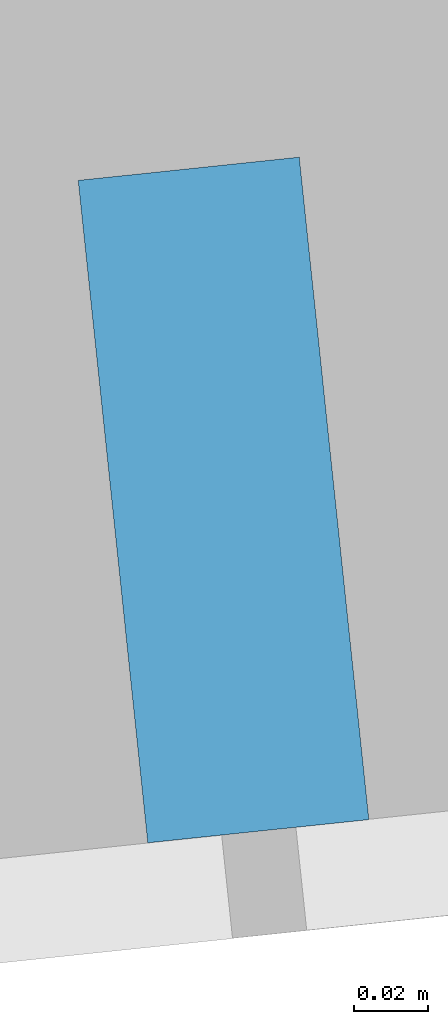
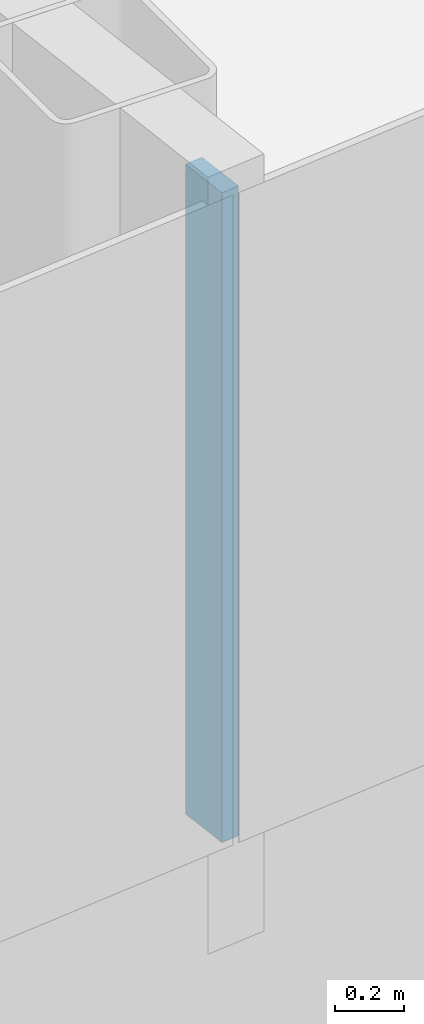
# One storey, part 5 of 27: 1 member, 1 element without a shape of its own.
"""IFC4 building model written with IfcOpenShell, lengths in metres."""

from ifc_helpers import new_model, si_unit, direction, frame, origin, origin_2d, place, context, subcontext, project, spatial, rectangle, extrude, material, layer, layer_set, material_profile, profile_set, type_object, element, aggregate, save


model = new_model("IFC4")

# Units and contexts
model_context = context("Model", 3, precision=1e-05, world=origin(), true_north=direction((0.0, 1.0)))
body_context = subcontext(model_context, "Body", "Model", "MODEL_VIEW")
ifc_project = project(units=[si_unit("LENGTHUNIT", "METRE"), si_unit("AREAUNIT", "SQUARE_METRE"), si_unit("VOLUMEUNIT", "CUBIC_METRE"), si_unit("PLANEANGLEUNIT", "RADIAN"), si_unit("MASSUNIT", "GRAM", prefix="KILO")], contexts=[model_context])

# Site, building, storey
site_placement = place(None, origin())
site = spatial("IfcSite", under=ifc_project, at=site_placement, CompositionType="ELEMENT")
building_placement = place(site_placement, origin())
building = spatial("IfcBuilding", under=site, at=building_placement, Name="Hakoniwa Tower and Hamabe Station Hall", CompositionType="ELEMENT")
storey_placement = place(building_placement, frame((0.0, 0.0, 248.60009765625)))
storey = spatial("IfcBuildingStorey", under=building, at=storey_placement, Name="L70", CompositionType="ELEMENT", Elevation=248.60009765625)

# Curtain wall, member
ifc_material_1 = material(Name="Dark low-e laminated glass", Category="glass")
ifc_layer = layer(ifc_material_1, 0.199951171875)
ifc_layer_set = layer_set([ifc_layer], Name="CW-1 UNITISED GUEST")
curtain_wall_type = type_object("IfcCurtainWallType", Name="CW-1 UNITISED GUEST", PredefinedType="NOTDEFINED", material=ifc_layer_set)
curtain_wall_placement = place(storey_placement, origin())
curtain_wall = element("IfcCurtainWall", 1, at=curtain_wall_placement, inside=storey, type_object=curtain_wall_type, Name="CW-1 curtain wall", PredefinedType="NOTDEFINED")
ifc_material_2 = material(Name="Aluminium 6063-T5 black anodised", Category="aluminium")
ifc_material_profile = material_profile(ifc_material_2, rectangle(XDim=0.06005859375, YDim=0.179931640625, at=origin_2d()), Name="CW-1 MULLION 60X180")
ifc_profile_set = profile_set([ifc_material_profile], Name="Aluminium 6063-T5 black anodised")
member_type = type_object("IfcMemberType", Name="CW-1 MULLION 60X180", PredefinedType="MULLION", material=ifc_profile_set)
member_placement = place(storey_placement, frame((1.7958984375, -14.587890625, 0.349853515625), z_axis=(0.0, 0.0, 1.0), x_axis=(0.994521895272, 0.104528464188, 0.0)))
member = element("IfcMember", 2, at=member_placement, type_object=member_type, Name="CW-1 mullion", PredefinedType="MULLION", context=body_context, shape_type="SweptSolid", body=[
    extrude(rectangle(XDim=0.06005859375, YDim=0.179931640625, at=origin_2d()), origin(), (0.0, 0.0, 1.0), 2.300048828125),
])
aggregate(curtain_wall, [member])

save(model, "model.ifc")
